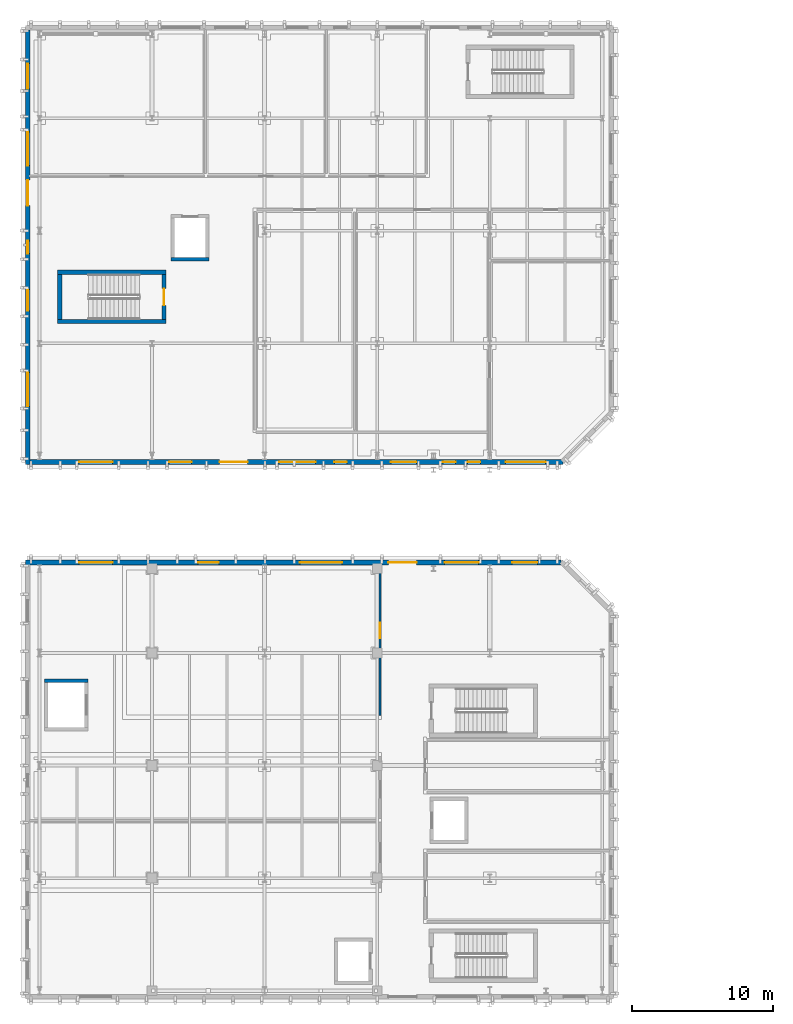
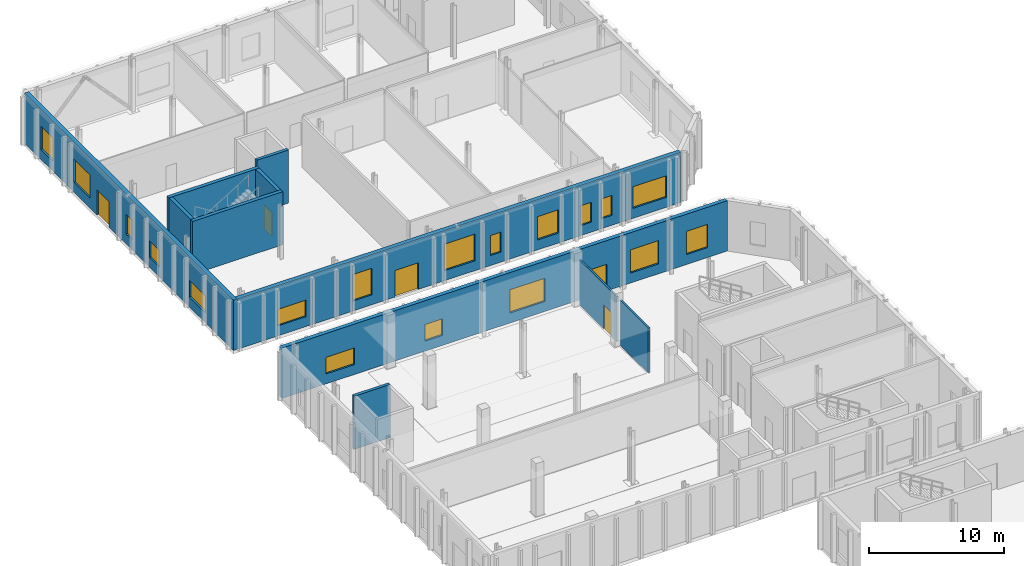
# One storey, part 29 of 60: 18 windows, 11 walls, 5 doors, 23 openings.
"""IFC4 building model written with IfcOpenShell, lengths in metres."""

import ifcopenshell
import ifcopenshell.guid

model = None  # the IFC model being written
_history = None  # IfcOwnerHistory: only IFC2X3 demands one
_inside = {}  # id of a spatial element -> (the spatial element, [elements in it])
_under = {}  # id of a project, library or spatial element -> (it, [spatial elements below it])
_declared = {}  # id of a project -> (the project, [libraries it declares])
_typed = {}  # id of a type object -> (the type object, [elements of that type])
_made_of = {}  # id of a material, layer set ... -> (it, [elements and type objects made of it])


def new_model(schema):
    """Start an empty IFC model of exactly this schema.

    Asked for "IFC4X3", IfcOpenShell would pick the latest addendum, in which some entities
    have other attributes; the version numbers below select the first issue.
    IFC2X3 requires an IfcOwnerHistory on every rooted entity: one is made here for all.
    """
    global model, _history
    if schema == "IFC4X3":
        model = ifcopenshell.file(schema_version=(4, 3, 0, 0))
    else:
        model = ifcopenshell.file(schema=schema)
    _inside.clear()
    _under.clear()
    _declared.clear()
    _typed.clear()
    _made_of.clear()
    _history = None
    if model.schema == "IFC2X3":
        org = make("IfcOrganization", Name="unknown")
        user = make(
            "IfcPersonAndOrganization",
            ThePerson=make("IfcPerson", FamilyName="unknown"),
            TheOrganization=org,
        )
        app = make(
            "IfcApplication",
            ApplicationDeveloper=org,
            Version="unknown",
            ApplicationFullName="unknown",
            ApplicationIdentifier="unknown",
        )
        _history = make(
            "IfcOwnerHistory",
            OwningUser=user,
            OwningApplication=app,
            ChangeAction="ADDED",
            CreationDate=0,
        )
    return model


def make(cls, **values):
    """One entity of the class cls with the attributes given. An attribute that is None is left unset."""
    return model.create_entity(
        cls, **{name: value for name, value in values.items() if value is not None}
    )


def rooted(cls, **values):
    """An entity with a GlobalId (a new one), such as an element, a storey or a relation."""
    return make(cls, GlobalId=ifcopenshell.guid.new(), OwnerHistory=_history, **values)


def si_unit(unit_type, name, prefix=None):
    """IfcSIUnit, for example si_unit("LENGTHUNIT", "METRE", prefix="MILLI")."""
    return make("IfcSIUnit", UnitType=unit_type, Prefix=prefix, Name=name)


def assignment(units):
    """IfcUnitAssignment: the units of a project."""
    return None if units is None else make("IfcUnitAssignment", Units=units)


def point(xyz):
    """IfcCartesianPoint."""
    return None if xyz is None else make("IfcCartesianPoint", Coordinates=xyz)


def direction(xyz):
    """IfcDirection."""
    return None if xyz is None else make("IfcDirection", DirectionRatios=xyz)


def frame(location, z_axis=None, x_axis=None):
    """IfcAxis2Placement3D, a coordinate frame: its origin and axes. An axis left out is left unset."""
    return make(
        "IfcAxis2Placement3D",
        Location=point(location),
        Axis=direction(z_axis),
        RefDirection=direction(x_axis),
    )


def frame_2d(location, x_axis=None):
    """IfcAxis2Placement2D, a coordinate frame in the plane: its origin and x axis."""
    return make(
        "IfcAxis2Placement2D", Location=point(location), RefDirection=direction(x_axis)
    )


def origin():
    """The frame at (0, 0, 0) with its axes left unset."""
    return frame((0.0, 0.0, 0.0))


def place(relative_to, where):
    """IfcLocalPlacement: puts the frame where relative to a parent placement (None: the world)."""
    return make(
        "IfcLocalPlacement", PlacementRelTo=relative_to, RelativePlacement=where
    )


def context(
    kind, dimensions, precision=None, world=None, true_north=None, identifier=None
):
    """IfcGeometricRepresentationContext, for example the 3D "Model" context."""
    return make(
        "IfcGeometricRepresentationContext",
        ContextIdentifier=identifier,
        ContextType=kind,
        CoordinateSpaceDimension=dimensions,
        Precision=precision,
        WorldCoordinateSystem=world,
        TrueNorth=true_north,
    )


def subcontext(parent, identifier, kind, view, scale=None):
    """IfcGeometricRepresentationSubContext, for example "Body" below "Model"."""
    return make(
        "IfcGeometricRepresentationSubContext",
        ContextIdentifier=identifier,
        ContextType=kind,
        ParentContext=parent,
        TargetScale=scale,
        TargetView=view,
    )


def project(units=None, contexts=None):
    """IfcProject with its units and contexts."""
    return rooted(
        "IfcProject",
        Name="project",
        RepresentationContexts=contexts,
        UnitsInContext=assignment(units),
    )


def spatial(cls, under=None, at=None, **own):
    """A site, building, storey or space (cls), placed at a placement, below another one or the project."""
    s = rooted(cls, ObjectPlacement=at, **own)
    if under is not None:
        _under.setdefault(under.id(), (under, []))[1].append(s)
    return s


def profile(cls, at=None, kind="AREA", **sizes):
    """A parametric profile (cls). Its sizes go by their IFC names, for example OverallWidth=200.0."""
    return make(cls, ProfileType=kind, Position=at, **sizes)


def rectangle(**sizes):
    """IfcRectangleProfileDef."""
    return profile("IfcRectangleProfileDef", **sizes)


def extrude(swept, where, along, depth):
    """IfcExtrudedAreaSolid: the profile swept, set in the frame where, extruded along a direction by depth."""
    return make(
        "IfcExtrudedAreaSolid",
        SweptArea=swept,
        Position=where,
        ExtrudedDirection=direction(along),
        Depth=depth,
    )


def shape(context_of_items, identifier, shape_type, items):
    """IfcShapeRepresentation: the items that make up one representation, for example the "Body"."""
    return make(
        "IfcShapeRepresentation",
        ContextOfItems=context_of_items,
        RepresentationIdentifier=identifier,
        RepresentationType=shape_type,
        Items=items,
    )


def material(Name=None, Category=None):
    """IfcMaterial."""
    return make("IfcMaterial", Name=Name, Category=Category)


def layer(
    of_material, thickness, ventilated=None, Name=None, Category=None, Priority=None
):
    """IfcMaterialLayer: one layer of a wall or slab, of a material (None: an air gap)."""
    return make(
        "IfcMaterialLayer",
        Material=of_material,
        LayerThickness=thickness,
        IsVentilated=ventilated,
        Name=Name,
        Category=Category,
        Priority=Priority,
    )


def layer_set(layers, Name=None):
    """IfcMaterialLayerSet."""
    return make("IfcMaterialLayerSet", MaterialLayers=layers, LayerSetName=Name)


def made_of(thing, what):
    """Note that an element or type object is made of a material, layer set ...; save() writes the relation."""
    if what is not None:
        _made_of.setdefault(what.id(), (what, []))[1].append(thing)
    return thing


def type_object(cls, material=None, **own):
    """A type object (cls), such as IfcWallType, which elements share."""
    return made_of(rooted(cls, **own), material)


def element(
    cls,
    number,
    at=None,
    inside=None,
    cuts=None,
    type_object=None,
    material=None,
    context=None,
    identifier="Body",
    shape_type=None,
    held_by="IfcProductDefinitionShape",
    body=None,
    shapes=None,
    **own,
):
    """One element of the class cls, such as IfcWall. Its Tag is "e" and its number.

    at: its placement. inside: the storey or other place that contains it. cuts: it is an
    opening in that element (IfcRelVoidsElement). A single representation is given by context,
    identifier, shape_type and body (its items); several are given by shapes. held_by: the class
    of the entity that holds the representations. save() writes the other relations.
    """
    e = rooted(cls, Tag="e%d" % number, ObjectPlacement=at, **own)
    if body is not None:
        shapes = [shape(context, identifier, shape_type, body)]
    if shapes is not None:
        e.Representation = make(held_by, Representations=shapes)
    if inside is not None:
        _inside.setdefault(inside.id(), (inside, []))[1].append(e)
    if cuts is not None:
        rooted(
            "IfcRelVoidsElement", RelatingBuildingElement=cuts, RelatedOpeningElement=e
        )
    if type_object is not None:
        _typed.setdefault(type_object.id(), (type_object, []))[1].append(e)
    return made_of(e, material)


def fill(opening, filler):
    """IfcRelFillsElement: the door or window that sits in an opening."""
    return rooted(
        "IfcRelFillsElement",
        RelatingOpeningElement=opening,
        RelatedBuildingElement=filler,
    )


def aggregate(whole, parts):
    """IfcRelAggregates: a whole, such as a stair, and the parts it consists of."""
    return rooted("IfcRelAggregates", RelatingObject=whole, RelatedObjects=parts)


def save(model, path):
    """Write the relations noted so far, then the file.

    IfcRelAggregates (storeys below a building ...), IfcRelContainedInSpatialStructure (elements
    in a storey), IfcRelDefinesByType, IfcRelAssociatesMaterial and IfcRelDeclares: one each for
    every whole, place, type object, material and project.
    """
    for whole, parts in _under.values():
        aggregate(whole, parts)
    for where, things in _inside.values():
        rooted(
            "IfcRelContainedInSpatialStructure",
            RelatedElements=things,
            RelatingStructure=where,
        )
    for kind, things in _typed.values():
        rooted("IfcRelDefinesByType", RelatedObjects=things, RelatingType=kind)
    for what, things in _made_of.values():
        rooted("IfcRelAssociatesMaterial", RelatedObjects=things, RelatingMaterial=what)
    for by, libraries in _declared.values():
        rooted("IfcRelDeclares", RelatingContext=by, RelatedDefinitions=libraries)
    model.write(path)


model = new_model("IFC4")

# Units and contexts
model_context = context("Model", 3, precision=1e-05, world=origin(), true_north=direction((0.0, 1.0)))
body_context = subcontext(model_context, "Body", "Model", "MODEL_VIEW")
ifc_project = project(units=[si_unit("LENGTHUNIT", "METRE"), si_unit("AREAUNIT", "SQUARE_METRE"), si_unit("VOLUMEUNIT", "CUBIC_METRE"), si_unit("PLANEANGLEUNIT", "RADIAN"), si_unit("MASSUNIT", "GRAM", prefix="KILO")], contexts=[model_context])

# Site, building, storey
site_placement = place(None, origin())
site = spatial("IfcSite", under=ifc_project, at=site_placement, CompositionType="ELEMENT")
building_placement = place(site_placement, origin())
building = spatial("IfcBuilding", under=site, at=building_placement, Name="Cymarion Research Institute", CompositionType="ELEMENT")
storey_placement = place(building_placement, origin())
storey = spatial("IfcBuildingStorey", under=building, at=storey_placement, Name="L00", CompositionType="ELEMENT", Elevation=0.0)

# Wall, openings, door, windows
ifc_material_1 = material(Name="Precast concrete C40/50", Category="concrete")
ifc_layer_1 = layer(ifc_material_1, 0.340087890625)
ifc_layer_set_1 = layer_set([ifc_layer_1], Name="Precast concrete C40/50")
wall_type_1 = type_object("IfcWallType", Name="EXTERIOR WALL EW-PC340 340MM", PredefinedType="SOLIDWALL", material=ifc_layer_set_1)
wall_1_placement = place(storey_placement, frame((43.67724609375, 77.929931640625, 0.0), z_axis=(0.0, 0.0, 1.0), x_axis=(-1.0, 0.0, 0.0)))
wall_1 = element("IfcWall", 1, at=wall_1_placement, inside=storey, type_object=wall_type_1, Name="L00 V4 exterior wall EW-PC340 #68", PredefinedType="SOLIDWALL", context=body_context, shape_type="SweptSolid", body=[
    extrude(rectangle(XDim=38.0771484375, YDim=0.340087890625, at=frame_2d((19.03857421875, 0.0))), origin(), (0.0, 0.0, 1.0), 4.550048828125),
])
opening_1_placement = place(wall_1_placement, frame((10.277099609375, 0.0, 0.0)))
opening_1 = element("IfcOpeningElement", 2, at=opening_1_placement, cuts=wall_1, Name="Opening D-EX14", PredefinedType="OPENING", context=body_context, shape_type="SweptSolid", body=[
    extrude(rectangle(XDim=2.0, YDim=2.39990234375, at=frame_2d((1.0, 1.199951171875))), frame((0.0, 0.179931640625, 0.0), z_axis=(0.0, -1.0, 0.0), x_axis=(1.0, 0.0, 0.0)), (0.0, 0.0, 1.0), 0.360107421875),
])
opening_2_placement = place(wall_1_placement, frame((1.68896484375, 0.0, 0.89990234375)))
opening_2 = element("IfcOpeningElement", 3, at=opening_2_placement, cuts=wall_1, Name="Opening W10", PredefinedType="OPENING", context=body_context, shape_type="SweptSolid", body=[
    extrude(rectangle(XDim=1.800048828125, YDim=2.10009765625, at=frame_2d((0.89990234375, 1.050048828125))), frame((0.0, 0.179931640625, 0.0), z_axis=(0.0, -1.0, 0.0), x_axis=(1.0, 0.0, 0.0)), (0.0, 0.0, 1.0), 0.360107421875),
])
opening_3_placement = place(wall_1_placement, frame((5.876953125, 0.0, 0.89990234375)))
opening_3 = element("IfcOpeningElement", 4, at=opening_3_placement, cuts=wall_1, Name="Opening W12", PredefinedType="OPENING", context=body_context, shape_type="SweptSolid", body=[
    extrude(rectangle(XDim=2.39990234375, YDim=2.10009765625, at=frame_2d((1.199951171875, 1.050048828125))), frame((0.0, 0.179931640625, 0.0), z_axis=(0.0, -1.0, 0.0), x_axis=(1.0, 0.0, 0.0)), (0.0, 0.0, 1.0), 0.360107421875),
])
opening_4_placement = place(wall_1_placement, frame((15.576904296875, 0.0, 0.89990234375)))
opening_4 = element("IfcOpeningElement", 5, at=opening_4_placement, cuts=wall_1, Name="Opening W14", PredefinedType="OPENING", context=body_context, shape_type="SweptSolid", body=[
    extrude(rectangle(XDim=3.0, YDim=2.10009765625, at=frame_2d((1.5, 1.050048828125))), frame((0.0, 0.179931640625, 0.0), z_axis=(0.0, -1.0, 0.0), x_axis=(1.0, 0.0, 0.0)), (0.0, 0.0, 1.0), 0.360107421875),
])
opening_5_placement = place(wall_1_placement, frame((24.326904296875, 0.0, 0.89990234375)))
opening_5 = element("IfcOpeningElement", 6, at=opening_5_placement, cuts=wall_1, Name="Opening W16", PredefinedType="OPENING", context=body_context, shape_type="SweptSolid", body=[
    extrude(rectangle(XDim=1.5, YDim=1.5, at=frame_2d((0.75, 0.75))), frame((0.0, 0.179931640625, 0.0), z_axis=(0.0, -1.0, 0.0), x_axis=(1.0, 0.0, 0.0)), (0.0, 0.0, 1.0), 0.360107421875),
])
opening_6_placement = place(wall_1_placement, frame((31.876953125, 0.0, 0.89990234375)))
opening_6 = element("IfcOpeningElement", 7, at=opening_6_placement, cuts=wall_1, Name="Opening W18", PredefinedType="OPENING", context=body_context, shape_type="SweptSolid", body=[
    extrude(rectangle(XDim=2.39990234375, YDim=1.5, at=frame_2d((1.199951171875, 0.75))), frame((0.0, 0.179931640625, 0.0), z_axis=(0.0, -1.0, 0.0), x_axis=(1.0, 0.0, 0.0)), (0.0, 0.0, 1.0), 0.360107421875),
])
ifc_material_2 = material(Name="Thermally broken anodised aluminium glazed door", Category="aluminium")
door_type_1 = type_object("IfcDoorType", Name="GLAZED ALUMINIUM DOUBLE EXIT DOOR DT-EX200 2000X2400", OperationType="DOUBLE_DOOR_SINGLE_SWING", PredefinedType="DOOR", material=ifc_material_2)
door_1_placement = place(opening_1_placement, frame((2.0, 0.0, 0.0), z_axis=(0.0, 0.0, 1.0), x_axis=(-1.0, 0.0, 0.0)))
door_1 = element("IfcDoor", 8, at=door_1_placement, inside=storey, type_object=door_type_1, Name="L00 V4 Final Exit Door D-EX14", OperationType="DOUBLE_DOOR_SINGLE_SWING", OverallHeight=2.39990234375, OverallWidth=2.0, PredefinedType="DOOR", context=body_context, shape_type="SweptSolid", body=[
    extrude(rectangle(XDim=2.0, YDim=2.39990234375, at=frame_2d((1.0, 1.199951171875))), frame((0.0, 0.02490234375, 0.0), z_axis=(0.0, -1.0, 0.0), x_axis=(1.0, 0.0, 0.0)), (0.0, 0.0, 1.0), 0.050048828125),
])
fill(opening_1, door_1)
ifc_material_3 = material(Name="Thermally broken aluminium window with Low-E glazing", Category="aluminium")
window_type_1 = type_object("IfcWindowType", Name="THERMALLY BROKEN ALUMINIUM WINDOW W10 1800X2100", PartitioningType="DOUBLE_PANEL_VERTICAL", PredefinedType="WINDOW", material=ifc_material_3)
window_1_placement = place(opening_2_placement, origin())
window_1 = element("IfcWindow", 9, at=window_1_placement, inside=storey, type_object=window_type_1, Name="L00 V4 facade window W10 #108", OverallHeight=2.10009765625, OverallWidth=1.800048828125, PartitioningType="SINGLE_PANEL", PredefinedType="WINDOW", context=body_context, shape_type="SweptSolid", body=[
    extrude(rectangle(XDim=1.800048828125, YDim=2.10009765625, at=frame_2d((0.89990234375, 1.050048828125))), frame((0.0, 0.030029296875, 0.0), z_axis=(0.0, -1.0, 0.0), x_axis=(1.0, 0.0, 0.0)), (0.0, 0.0, 1.0), 0.06005859375),
])
fill(opening_2, window_1)
window_type_2 = type_object("IfcWindowType", Name="THERMALLY BROKEN ALUMINIUM WINDOW W12 2400X2100", PartitioningType="TRIPLE_PANEL_VERTICAL", PredefinedType="WINDOW", material=ifc_material_3)
window_2_placement = place(opening_3_placement, origin())
window_2 = element("IfcWindow", 10, at=window_2_placement, inside=storey, type_object=window_type_2, Name="L00 V4 facade window W12 #109", OverallHeight=2.10009765625, OverallWidth=2.39990234375, PartitioningType="SINGLE_PANEL", PredefinedType="WINDOW", context=body_context, shape_type="SweptSolid", body=[
    extrude(rectangle(XDim=2.39990234375, YDim=2.10009765625, at=frame_2d((1.199951171875, 1.050048828125))), frame((0.0, 0.030029296875, 0.0), z_axis=(0.0, -1.0, 0.0), x_axis=(1.0, 0.0, 0.0)), (0.0, 0.0, 1.0), 0.06005859375),
])
fill(opening_3, window_2)
window_type_3 = type_object("IfcWindowType", Name="THERMALLY BROKEN ALUMINIUM WINDOW W14 3000X2100", PartitioningType="TRIPLE_PANEL_VERTICAL", PredefinedType="WINDOW", material=ifc_material_3)
window_3_placement = place(opening_4_placement, origin())
window_3 = element("IfcWindow", 11, at=window_3_placement, inside=storey, type_object=window_type_3, Name="L00 V4 facade window W14 #110", OverallHeight=2.10009765625, OverallWidth=3.0, PartitioningType="SINGLE_PANEL", PredefinedType="WINDOW", context=body_context, shape_type="SweptSolid", body=[
    extrude(rectangle(XDim=3.0, YDim=2.10009765625, at=frame_2d((1.5, 1.050048828125))), frame((0.0, 0.030029296875, 0.0), z_axis=(0.0, -1.0, 0.0), x_axis=(1.0, 0.0, 0.0)), (0.0, 0.0, 1.0), 0.06005859375),
])
fill(opening_4, window_3)
window_type_4 = type_object("IfcWindowType", Name="THERMALLY BROKEN ALUMINIUM WINDOW W16 1500X1500", PartitioningType="DOUBLE_PANEL_HORIZONTAL", PredefinedType="WINDOW", material=ifc_material_3)
window_4_placement = place(opening_5_placement, origin())
window_4 = element("IfcWindow", 12, at=window_4_placement, inside=storey, type_object=window_type_4, Name="L00 V4 facade window W16 #111", OverallHeight=1.5, OverallWidth=1.5, PartitioningType="SINGLE_PANEL", PredefinedType="WINDOW", context=body_context, shape_type="SweptSolid", body=[
    extrude(rectangle(XDim=1.5, YDim=1.5, at=frame_2d((0.75, 0.75))), frame((0.0, 0.030029296875, 0.0), z_axis=(0.0, -1.0, 0.0), x_axis=(1.0, 0.0, 0.0)), (0.0, 0.0, 1.0), 0.06005859375),
])
fill(opening_5, window_4)
window_type_5 = type_object("IfcWindowType", Name="THERMALLY BROKEN ALUMINIUM WINDOW W18 2400X1500", PartitioningType="TRIPLE_PANEL_HORIZONTAL", PredefinedType="WINDOW", material=ifc_material_3)
window_5_placement = place(opening_6_placement, origin())
window_5 = element("IfcWindow", 13, at=window_5_placement, inside=storey, type_object=window_type_5, Name="L00 V4 facade window W18 #112", OverallHeight=1.5, OverallWidth=2.39990234375, PartitioningType="SINGLE_PANEL", PredefinedType="WINDOW", context=body_context, shape_type="SweptSolid", body=[
    extrude(rectangle(XDim=2.39990234375, YDim=1.5, at=frame_2d((1.199951171875, 0.75))), frame((0.0, 0.030029296875, 0.0), z_axis=(0.0, -1.0, 0.0), x_axis=(1.0, 0.0, 0.0)), (0.0, 0.0, 1.0), 0.06005859375),
])
fill(opening_6, window_5)

wall_2_placement = place(storey_placement, frame((5.922119140625, 85.070068359375, 0.0), z_axis=(0.0, 0.0, 1.0), x_axis=(1.0, 0.0, 0.0)))
wall_2 = element("IfcWall", 14, at=wall_2_placement, inside=storey, type_object=wall_type_1, Name="L00 V5 exterior wall EW-PC340 #70", PredefinedType="SOLIDWALL", context=body_context, shape_type="SweptSolid", body=[
    extrude(rectangle(XDim=37.8779296875, YDim=0.340087890625, at=frame_2d((18.93896484375, 0.0))), origin(), (0.0, 0.0, 1.0), 4.550048828125),
])
opening_7_placement = place(wall_2_placement, frame((13.47802734375, 0.0, 0.0)))
opening_7 = element("IfcOpeningElement", 15, at=opening_7_placement, cuts=wall_2, Name="Opening D-EX16", PredefinedType="OPENING", context=body_context, shape_type="SweptSolid", body=[
    extrude(rectangle(XDim=2.0, YDim=2.39990234375, at=frame_2d((1.0, 1.199951171875))), frame((0.0, 0.179931640625, 0.0), z_axis=(0.0, -1.0, 0.0), x_axis=(1.0, 0.0, 0.0)), (0.0, 0.0, 1.0), 0.360107421875),
])
opening_8_placement = place(wall_2_placement, frame((3.47802734375, 0.0, 0.89990234375)))
opening_8 = element("IfcOpeningElement", 16, at=opening_8_placement, cuts=wall_2, Name="Opening W18", PredefinedType="OPENING", context=body_context, shape_type="SweptSolid", body=[
    extrude(rectangle(XDim=2.39990234375, YDim=1.5, at=frame_2d((1.199951171875, 0.75))), frame((0.0, 0.179931640625, 0.0), z_axis=(0.0, -1.0, 0.0), x_axis=(1.0, 0.0, 0.0)), (0.0, 0.0, 1.0), 0.360107421875),
])
opening_9_placement = place(wall_2_placement, frame((9.89794921875, 0.0, 0.89990234375)))
opening_9 = element("IfcOpeningElement", 17, at=opening_9_placement, cuts=wall_2, Name="Opening W20", PredefinedType="OPENING", context=body_context, shape_type="SweptSolid", body=[
    extrude(rectangle(XDim=1.60009765625, YDim=2.39990234375, at=frame_2d((0.800048828125, 1.199951171875))), frame((0.0, 0.179931640625, 0.0), z_axis=(0.0, -1.0, 0.0), x_axis=(1.0, 0.0, 0.0)), (0.0, 0.0, 1.0), 0.360107421875),
])
opening_10_placement = place(wall_2_placement, frame((17.697998046875, 0.0, 0.89990234375)))
opening_10 = element("IfcOpeningElement", 18, at=opening_10_placement, cuts=wall_2, Name="Opening W22", PredefinedType="OPENING", context=body_context, shape_type="SweptSolid", body=[
    extrude(rectangle(XDim=2.60009765625, YDim=2.39990234375, at=frame_2d((1.300048828125, 1.199951171875))), frame((0.0, 0.179931640625, 0.0), z_axis=(0.0, -1.0, 0.0), x_axis=(1.0, 0.0, 0.0)), (0.0, 0.0, 1.0), 0.360107421875),
])
opening_11_placement = place(wall_2_placement, frame((21.6279296875, 0.0, 0.89990234375)))
opening_11 = element("IfcOpeningElement", 19, at=opening_11_placement, cuts=wall_2, Name="Opening W24", PredefinedType="OPENING", context=body_context, shape_type="SweptSolid", body=[
    extrude(rectangle(XDim=0.89990234375, YDim=1.800048828125, at=frame_2d((0.449951171875, 0.89990234375))), frame((0.0, 0.179931640625, 0.0), z_axis=(0.0, -1.0, 0.0), x_axis=(1.0, 0.0, 0.0)), (0.0, 0.0, 1.0), 0.360107421875),
])
opening_12_placement = place(wall_2_placement, frame((25.657958984375, 0.0, 0.89990234375)))
opening_12 = element("IfcOpeningElement", 20, at=opening_12_placement, cuts=wall_2, Name="Opening W10", PredefinedType="OPENING", context=body_context, shape_type="SweptSolid", body=[
    extrude(rectangle(XDim=1.800048828125, YDim=2.10009765625, at=frame_2d((0.89990234375, 1.050048828125))), frame((0.0, 0.179931640625, 0.0), z_axis=(0.0, -1.0, 0.0), x_axis=(1.0, 0.0, 0.0)), (0.0, 0.0, 1.0), 0.360107421875),
])
opening_13_placement = place(wall_2_placement, frame((29.347900390625, 0.0, 0.89990234375)))
opening_13 = element("IfcOpeningElement", 21, at=opening_13_placement, cuts=wall_2, Name="Opening W24", PredefinedType="OPENING", context=body_context, shape_type="SweptSolid", body=[
    extrude(rectangle(XDim=0.89990234375, YDim=1.800048828125, at=frame_2d((0.449951171875, 0.89990234375))), frame((0.0, 0.179931640625, 0.0), z_axis=(0.0, -1.0, 0.0), x_axis=(1.0, 0.0, 0.0)), (0.0, 0.0, 1.0), 0.360107421875),
])
opening_14_placement = place(wall_2_placement, frame((31.10791015625, 0.0, 0.89990234375)))
opening_14 = element("IfcOpeningElement", 22, at=opening_14_placement, cuts=wall_2, Name="Opening W24", PredefinedType="OPENING", context=body_context, shape_type="SweptSolid", body=[
    extrude(rectangle(XDim=0.89990234375, YDim=1.800048828125, at=frame_2d((0.449951171875, 0.89990234375))), frame((0.0, 0.179931640625, 0.0), z_axis=(0.0, -1.0, 0.0), x_axis=(1.0, 0.0, 0.0)), (0.0, 0.0, 1.0), 0.360107421875),
])
opening_15_placement = place(wall_2_placement, frame((33.802978515625, 0.0, 0.89990234375)))
opening_15 = element("IfcOpeningElement", 23, at=opening_15_placement, cuts=wall_2, Name="Opening W32", PredefinedType="OPENING", context=body_context, shape_type="SweptSolid", body=[
    extrude(rectangle(XDim=2.85009765625, YDim=1.949951171875, at=frame_2d((1.425048828125, 0.97509765625))), frame((0.0, 0.179931640625, 0.0), z_axis=(0.0, -1.0, 0.0), x_axis=(1.0, 0.0, 0.0)), (0.0, 0.0, 1.0), 0.360107421875),
])
door_2_placement = place(opening_7_placement, frame((2.0, 0.0, 0.0), z_axis=(0.0, 0.0, 1.0), x_axis=(-1.0, 0.0, 0.0)))
door_2 = element("IfcDoor", 24, at=door_2_placement, inside=storey, type_object=door_type_1, Name="L00 V5 Final Exit Door D-EX16", OperationType="DOUBLE_DOOR_SINGLE_SWING", OverallHeight=2.39990234375, OverallWidth=2.0, PredefinedType="DOOR", context=body_context, shape_type="SweptSolid", body=[
    extrude(rectangle(XDim=2.0, YDim=2.39990234375, at=frame_2d((1.0, 1.199951171875))), frame((0.0, 0.02490234375, 0.0), z_axis=(0.0, -1.0, 0.0), x_axis=(1.0, 0.0, 0.0)), (0.0, 0.0, 1.0), 0.050048828125),
])
fill(opening_7, door_2)
window_6_placement = place(opening_12_placement, origin())
window_6 = element("IfcWindow", 25, at=window_6_placement, inside=storey, type_object=window_type_1, Name="L00 V5 facade window W10 #123", OverallHeight=2.10009765625, OverallWidth=1.800048828125, PartitioningType="SINGLE_PANEL", PredefinedType="WINDOW", context=body_context, shape_type="SweptSolid", body=[
    extrude(rectangle(XDim=1.800048828125, YDim=2.10009765625, at=frame_2d((0.89990234375, 1.050048828125))), frame((0.0, 0.030029296875, 0.0), z_axis=(0.0, -1.0, 0.0), x_axis=(1.0, 0.0, 0.0)), (0.0, 0.0, 1.0), 0.06005859375),
])
fill(opening_12, window_6)
window_7_placement = place(opening_8_placement, origin())
window_7 = element("IfcWindow", 26, at=window_7_placement, inside=storey, type_object=window_type_5, Name="L00 V5 facade window W18 #119", OverallHeight=1.5, OverallWidth=2.39990234375, PartitioningType="SINGLE_PANEL", PredefinedType="WINDOW", context=body_context, shape_type="SweptSolid", body=[
    extrude(rectangle(XDim=2.39990234375, YDim=1.5, at=frame_2d((1.199951171875, 0.75))), frame((0.0, 0.030029296875, 0.0), z_axis=(0.0, -1.0, 0.0), x_axis=(1.0, 0.0, 0.0)), (0.0, 0.0, 1.0), 0.06005859375),
])
fill(opening_8, window_7)
window_type_6 = type_object("IfcWindowType", Name="THERMALLY BROKEN ALUMINIUM WINDOW W20 1600X2400", PartitioningType="DOUBLE_PANEL_VERTICAL", PredefinedType="WINDOW", material=ifc_material_3)
window_8_placement = place(opening_9_placement, origin())
window_8 = element("IfcWindow", 27, at=window_8_placement, inside=storey, type_object=window_type_6, Name="L00 V5 facade window W20 #120", OverallHeight=2.39990234375, OverallWidth=1.60009765625, PartitioningType="SINGLE_PANEL", PredefinedType="WINDOW", context=body_context, shape_type="SweptSolid", body=[
    extrude(rectangle(XDim=1.60009765625, YDim=2.39990234375, at=frame_2d((0.800048828125, 1.199951171875))), frame((0.0, 0.030029296875, 0.0), z_axis=(0.0, -1.0, 0.0), x_axis=(1.0, 0.0, 0.0)), (0.0, 0.0, 1.0), 0.06005859375),
])
fill(opening_9, window_8)
window_type_7 = type_object("IfcWindowType", Name="THERMALLY BROKEN ALUMINIUM WINDOW W22 2600X2400", PartitioningType="TRIPLE_PANEL_VERTICAL", PredefinedType="WINDOW", material=ifc_material_3)
window_9_placement = place(opening_10_placement, origin())
window_9 = element("IfcWindow", 28, at=window_9_placement, inside=storey, type_object=window_type_7, Name="L00 V5 facade window W22 #121", OverallHeight=2.39990234375, OverallWidth=2.60009765625, PartitioningType="SINGLE_PANEL", PredefinedType="WINDOW", context=body_context, shape_type="SweptSolid", body=[
    extrude(rectangle(XDim=2.60009765625, YDim=2.39990234375, at=frame_2d((1.300048828125, 1.199951171875))), frame((0.0, 0.030029296875, 0.0), z_axis=(0.0, -1.0, 0.0), x_axis=(1.0, 0.0, 0.0)), (0.0, 0.0, 1.0), 0.06005859375),
])
fill(opening_10, window_9)
window_type_8 = type_object("IfcWindowType", Name="THERMALLY BROKEN ALUMINIUM WINDOW W24 900X1800", PartitioningType="SINGLE_PANEL", PredefinedType="WINDOW", material=ifc_material_3)
window_10_placement = place(opening_11_placement, origin())
window_10 = element("IfcWindow", 29, at=window_10_placement, inside=storey, type_object=window_type_8, Name="L00 V5 facade window W24 #122", OverallHeight=1.800048828125, OverallWidth=0.89990234375, PartitioningType="SINGLE_PANEL", PredefinedType="WINDOW", context=body_context, shape_type="SweptSolid", body=[
    extrude(rectangle(XDim=0.89990234375, YDim=1.800048828125, at=frame_2d((0.449951171875, 0.89990234375))), frame((0.0, 0.030029296875, 0.0), z_axis=(0.0, -1.0, 0.0), x_axis=(1.0, 0.0, 0.0)), (0.0, 0.0, 1.0), 0.06005859375),
])
fill(opening_11, window_10)
window_11_placement = place(opening_13_placement, origin())
window_11 = element("IfcWindow", 30, at=window_11_placement, inside=storey, type_object=window_type_8, Name="L00 V5 facade window W24 #124", OverallHeight=1.800048828125, OverallWidth=0.89990234375, PartitioningType="SINGLE_PANEL", PredefinedType="WINDOW", context=body_context, shape_type="SweptSolid", body=[
    extrude(rectangle(XDim=0.89990234375, YDim=1.800048828125, at=frame_2d((0.449951171875, 0.89990234375))), frame((0.0, 0.030029296875, 0.0), z_axis=(0.0, -1.0, 0.0), x_axis=(1.0, 0.0, 0.0)), (0.0, 0.0, 1.0), 0.06005859375),
])
fill(opening_13, window_11)
window_12_placement = place(opening_14_placement, origin())
window_12 = element("IfcWindow", 31, at=window_12_placement, inside=storey, type_object=window_type_8, Name="L00 V5 facade window W24 #125", OverallHeight=1.800048828125, OverallWidth=0.89990234375, PartitioningType="SINGLE_PANEL", PredefinedType="WINDOW", context=body_context, shape_type="SweptSolid", body=[
    extrude(rectangle(XDim=0.89990234375, YDim=1.800048828125, at=frame_2d((0.449951171875, 0.89990234375))), frame((0.0, 0.030029296875, 0.0), z_axis=(0.0, -1.0, 0.0), x_axis=(1.0, 0.0, 0.0)), (0.0, 0.0, 1.0), 0.06005859375),
])
fill(opening_14, window_12)
window_type_9 = type_object("IfcWindowType", Name="THERMALLY BROKEN ALUMINIUM WINDOW W32 2850X1950", PartitioningType="TRIPLE_PANEL_VERTICAL", PredefinedType="WINDOW", material=ifc_material_3)
window_13_placement = place(opening_15_placement, origin())
window_13 = element("IfcWindow", 32, at=window_13_placement, inside=storey, type_object=window_type_9, Name="L00 V5 facade window W32 #126", OverallHeight=1.949951171875, OverallWidth=2.85009765625, PartitioningType="SINGLE_PANEL", PredefinedType="WINDOW", context=body_context, shape_type="SweptSolid", body=[
    extrude(rectangle(XDim=2.85009765625, YDim=1.949951171875, at=frame_2d((1.425048828125, 0.97509765625))), frame((0.0, 0.030029296875, 0.0), z_axis=(0.0, -1.0, 0.0), x_axis=(1.0, 0.0, 0.0)), (0.0, 0.0, 1.0), 0.06005859375),
])
fill(opening_15, window_13)

wall_3_placement = place(storey_placement, frame((5.77001953125, 115.778076171875, 0.0), z_axis=(0.0, 0.0, 1.0), x_axis=(0.0, -1.0, 0.0)))
wall_3 = element("IfcWall", 33, at=wall_3_placement, inside=storey, type_object=wall_type_1, Name="L00 V5 exterior wall EW-PC340 #74", PredefinedType="SOLIDWALL", context=body_context, shape_type="SweptSolid", body=[
    extrude(rectangle(XDim=30.878173828125, YDim=0.340087890625, at=frame_2d((15.43896484375, 0.0))), origin(), (0.0, 0.0, 1.0), 4.550048828125),
])
opening_16_placement = place(wall_3_placement, frame((10.677978515625, 0.0, 0.0)))
opening_16 = element("IfcOpeningElement", 34, at=opening_16_placement, cuts=wall_3, Name="Opening D-EX15", PredefinedType="OPENING", context=body_context, shape_type="SweptSolid", body=[
    extrude(rectangle(XDim=1.800048828125, YDim=2.300048828125, at=frame_2d((0.89990234375, 1.14990234375))), frame((0.0, 0.179931640625, 0.0), z_axis=(0.0, -1.0, 0.0), x_axis=(1.0, 0.0, 0.0)), (0.0, 0.0, 1.0), 0.360107421875),
])
opening_17_placement = place(wall_3_placement, frame((2.387939453125, 0.0, 0.89990234375)))
opening_17 = element("IfcOpeningElement", 35, at=opening_17_placement, cuts=wall_3, Name="Opening W10", PredefinedType="OPENING", context=body_context, shape_type="SweptSolid", body=[
    extrude(rectangle(XDim=1.800048828125, YDim=2.10009765625, at=frame_2d((0.89990234375, 1.050048828125))), frame((0.0, 0.179931640625, 0.0), z_axis=(0.0, -1.0, 0.0), x_axis=(1.0, 0.0, 0.0)), (0.0, 0.0, 1.0), 0.360107421875),
])
opening_18_placement = place(wall_3_placement, frame((7.242919921875, 0.0, 0.89990234375)))
opening_18 = element("IfcOpeningElement", 36, at=opening_18_placement, cuts=wall_3, Name="Opening W12", PredefinedType="OPENING", context=body_context, shape_type="SweptSolid", body=[
    extrude(rectangle(XDim=2.39990234375, YDim=2.10009765625, at=frame_2d((1.199951171875, 1.050048828125))), frame((0.0, 0.179931640625, 0.0), z_axis=(0.0, -1.0, 0.0), x_axis=(1.0, 0.0, 0.0)), (0.0, 0.0, 1.0), 0.360107421875),
])
opening_19_placement = place(wall_3_placement, frame((14.998046875, 0.0, 0.89990234375)))
opening_19 = element("IfcOpeningElement", 37, at=opening_19_placement, cuts=wall_3, Name="Opening W24", PredefinedType="OPENING", context=body_context, shape_type="SweptSolid", body=[
    extrude(rectangle(XDim=0.89990234375, YDim=1.800048828125, at=frame_2d((0.449951171875, 0.89990234375))), frame((0.0, 0.179931640625, 0.0), z_axis=(0.0, -1.0, 0.0), x_axis=(1.0, 0.0, 0.0)), (0.0, 0.0, 1.0), 0.360107421875),
])
opening_20_placement = place(wall_3_placement, frame((18.4580078125, 0.0, 0.89990234375)))
opening_20 = element("IfcOpeningElement", 38, at=opening_20_placement, cuts=wall_3, Name="Opening W16", PredefinedType="OPENING", context=body_context, shape_type="SweptSolid", body=[
    extrude(rectangle(XDim=1.5, YDim=1.5, at=frame_2d((0.75, 0.75))), frame((0.0, 0.179931640625, 0.0), z_axis=(0.0, -1.0, 0.0), x_axis=(1.0, 0.0, 0.0)), (0.0, 0.0, 1.0), 0.360107421875),
])
opening_21_placement = place(wall_3_placement, frame((24.347900390625, 0.0, 0.89990234375)))
opening_21 = element("IfcOpeningElement", 39, at=opening_21_placement, cuts=wall_3, Name="Opening W18", PredefinedType="OPENING", context=body_context, shape_type="SweptSolid", body=[
    extrude(rectangle(XDim=2.39990234375, YDim=1.5, at=frame_2d((1.199951171875, 0.75))), frame((0.0, 0.179931640625, 0.0), z_axis=(0.0, -1.0, 0.0), x_axis=(1.0, 0.0, 0.0)), (0.0, 0.0, 1.0), 0.360107421875),
])
door_type_2 = type_object("IfcDoorType", Name="GLAZED ALUMINIUM DOUBLE EXIT DOOR DT-EX180 1800X2300", OperationType="DOUBLE_DOOR_SINGLE_SWING", PredefinedType="DOOR", material=ifc_material_2)
door_3_placement = place(opening_16_placement, frame((1.800048828125, 0.0, 0.0), z_axis=(0.0, 0.0, 1.0), x_axis=(-1.0, 0.0, 0.0)))
door_3 = element("IfcDoor", 40, at=door_3_placement, inside=storey, type_object=door_type_2, Name="L00 V5 Final Exit Door D-EX15", OperationType="DOUBLE_DOOR_SINGLE_SWING", OverallHeight=2.300048828125, OverallWidth=1.800048828125, PredefinedType="DOOR", context=body_context, shape_type="SweptSolid", body=[
    extrude(rectangle(XDim=1.800048828125, YDim=2.300048828125, at=frame_2d((0.89990234375, 1.14990234375))), frame((0.0, 0.02490234375, 0.0), z_axis=(0.0, -1.0, 0.0), x_axis=(1.0, 0.0, 0.0)), (0.0, 0.0, 1.0), 0.050048828125),
])
fill(opening_16, door_3)
window_14_placement = place(opening_17_placement, origin())
window_14 = element("IfcWindow", 41, at=window_14_placement, inside=storey, type_object=window_type_1, Name="L00 V5 facade window W10 #141", OverallHeight=2.10009765625, OverallWidth=1.800048828125, PartitioningType="SINGLE_PANEL", PredefinedType="WINDOW", context=body_context, shape_type="SweptSolid", body=[
    extrude(rectangle(XDim=1.800048828125, YDim=2.10009765625, at=frame_2d((0.89990234375, 1.050048828125))), frame((0.0, 0.030029296875, 0.0), z_axis=(0.0, -1.0, 0.0), x_axis=(1.0, 0.0, 0.0)), (0.0, 0.0, 1.0), 0.06005859375),
])
fill(opening_17, window_14)
window_15_placement = place(opening_18_placement, origin())
window_15 = element("IfcWindow", 42, at=window_15_placement, inside=storey, type_object=window_type_2, Name="L00 V5 facade window W12 #142", OverallHeight=2.10009765625, OverallWidth=2.39990234375, PartitioningType="SINGLE_PANEL", PredefinedType="WINDOW", context=body_context, shape_type="SweptSolid", body=[
    extrude(rectangle(XDim=2.39990234375, YDim=2.10009765625, at=frame_2d((1.199951171875, 1.050048828125))), frame((0.0, 0.030029296875, 0.0), z_axis=(0.0, -1.0, 0.0), x_axis=(1.0, 0.0, 0.0)), (0.0, 0.0, 1.0), 0.06005859375),
])
fill(opening_18, window_15)
window_16_placement = place(opening_20_placement, origin())
window_16 = element("IfcWindow", 43, at=window_16_placement, inside=storey, type_object=window_type_4, Name="L00 V5 facade window W16 #144", OverallHeight=1.5, OverallWidth=1.5, PartitioningType="SINGLE_PANEL", PredefinedType="WINDOW", context=body_context, shape_type="SweptSolid", body=[
    extrude(rectangle(XDim=1.5, YDim=1.5, at=frame_2d((0.75, 0.75))), frame((0.0, 0.030029296875, 0.0), z_axis=(0.0, -1.0, 0.0), x_axis=(1.0, 0.0, 0.0)), (0.0, 0.0, 1.0), 0.06005859375),
])
fill(opening_20, window_16)
window_17_placement = place(opening_21_placement, origin())
window_17 = element("IfcWindow", 44, at=window_17_placement, inside=storey, type_object=window_type_5, Name="L00 V5 facade window W18 #145", OverallHeight=1.5, OverallWidth=2.39990234375, PartitioningType="SINGLE_PANEL", PredefinedType="WINDOW", context=body_context, shape_type="SweptSolid", body=[
    extrude(rectangle(XDim=2.39990234375, YDim=1.5, at=frame_2d((1.199951171875, 0.75))), frame((0.0, 0.030029296875, 0.0), z_axis=(0.0, -1.0, 0.0), x_axis=(1.0, 0.0, 0.0)), (0.0, 0.0, 1.0), 0.06005859375),
])
fill(opening_21, window_17)
window_18_placement = place(opening_19_placement, origin())
window_18 = element("IfcWindow", 45, at=window_18_placement, inside=storey, type_object=window_type_8, Name="L00 V5 facade window W24 #143", OverallHeight=1.800048828125, OverallWidth=0.89990234375, PartitioningType="SINGLE_PANEL", PredefinedType="WINDOW", context=body_context, shape_type="SweptSolid", body=[
    extrude(rectangle(XDim=0.89990234375, YDim=1.800048828125, at=frame_2d((0.449951171875, 0.89990234375))), frame((0.0, 0.030029296875, 0.0), z_axis=(0.0, -1.0, 0.0), x_axis=(1.0, 0.0, 0.0)), (0.0, 0.0, 1.0), 0.06005859375),
])
fill(opening_19, window_18)

# Wall
ifc_material_4 = material(Name="ISO cleanroom modular flush panel wall", Category="metal")
ifc_layer_2 = layer(ifc_material_4, 0.159912109375)
ifc_layer_set_2 = layer_set([ifc_layer_2], Name="ISO cleanroom modular flush panel wall")
wall_type_2 = type_object("IfcWallType", Name="INTERIOR PARTITION IW-CL160 160MM", PredefinedType="PARTITIONING", material=ifc_layer_set_2)
wall_4_placement = place(storey_placement, frame((30.800048828125, 67.050048828125, 0.0), z_axis=(0.0, 0.0, 1.0), x_axis=(0.0, 1.0, 0.0)))
element("IfcWall", 46, at=wall_4_placement, inside=storey, type_object=wall_type_2, Name="L00 V4 interior partition IW-CL160 #85", PredefinedType="PARTITIONING", context=body_context, shape_type="SweptSolid", body=[
    extrude(rectangle(XDim=4.199951171875, YDim=0.159912109375, at=frame_2d((2.10009765625, 0.0))), origin(), (0.0, 0.0, 1.0), 4.050048828125),
])

# Wall, opening, door
wall_5_placement = place(storey_placement, frame((30.800048828125, 71.75, 0.0), z_axis=(0.0, 0.0, 1.0), x_axis=(0.0, 1.0, 0.0)))
wall_5 = element("IfcWall", 47, at=wall_5_placement, inside=storey, type_object=wall_type_2, Name="L00 V4 interior partition IW-CL160 #86", PredefinedType="PARTITIONING", context=body_context, shape_type="SweptSolid", body=[
    extrude(rectangle(XDim=5.5, YDim=0.159912109375, at=frame_2d((2.75, 0.0))), origin(), (0.0, 0.0, 1.0), 4.050048828125),
])
opening_22_placement = place(wall_5_placement, frame((0.7919921875, 0.0, 0.0)))
opening_22 = element("IfcOpeningElement", 48, at=opening_22_placement, cuts=wall_5, Name="Opening D-L00-061", PredefinedType="OPENING", context=body_context, shape_type="SweptSolid", body=[
    extrude(rectangle(XDim=1.10009765625, YDim=2.14990234375, at=frame_2d((0.550048828125, 1.074951171875))), frame((0.0, 0.08984375, 0.0), z_axis=(0.0, -1.0, 0.0), x_axis=(1.0, 0.0, 0.0)), (0.0, 0.0, 1.0), 0.179931640625),
])
ifc_material_5 = material(Name="Flush acoustic timber/steel door assembly", Category="steel")
door_type_3 = type_object("IfcDoorType", Name="LABORATORY WIDE SINGLE DOOR DT-LB110 1100X2150", OperationType="NOTDEFINED", PredefinedType="DOOR", material=ifc_material_5)
door_4_placement = place(opening_22_placement, origin())
door_4 = element("IfcDoor", 49, at=door_4_placement, inside=storey, type_object=door_type_3, Name="L00 Metrology Lab door D-L00-061", OperationType="SINGLE_SWING_RIGHT", OverallHeight=2.14990234375, OverallWidth=1.10009765625, PredefinedType="DOOR", context=body_context, shape_type="SweptSolid", body=[
    extrude(rectangle(XDim=1.10009765625, YDim=2.14990234375, at=frame_2d((0.550048828125, 1.074951171875))), frame((0.0, 0.02490234375, 0.0), z_axis=(0.0, -1.0, 0.0), x_axis=(1.0, 0.0, 0.0)), (0.0, 0.0, 1.0), 0.050048828125),
])
fill(opening_22, door_4)

# Walls
ifc_material_6 = material(Name="Concrete C40/50", Category="concrete")
ifc_layer_3 = layer(ifc_material_6, 0.25)
ifc_layer_set_3 = layer_set([ifc_layer_3], Name="Concrete C40/50")
wall_type_3 = type_object("IfcWallType", Name="REINFORCED CONCRETE CORE WALL CW-SH250 250MM", PredefinedType="SHEAR", material=ifc_layer_set_3)
wall_6_placement = place(storey_placement, frame((15.949951171875, 99.47509765625, 0.0), z_axis=(0.0, 0.0, 1.0), x_axis=(1.0, 0.0, 0.0)))
element("IfcWall", 50, at=wall_6_placement, inside=storey, type_object=wall_type_3, Name="L00 LSH-LP5-L00 south core wall", PredefinedType="SHEAR", context=body_context, shape_type="SweptSolid", body=[
    extrude(rectangle(XDim=2.699951171875, YDim=0.25, at=frame_2d((1.35009765625, 0.0))), origin(), (0.0, 0.0, 1.0), 4.800048828125),
])
wall_7_placement = place(storey_placement, frame((10.050048828125, 69.52490234375, 0.0), z_axis=(0.0, 0.0, 1.0), x_axis=(-1.0, 0.0, 0.0)))
element("IfcWall", 51, at=wall_7_placement, inside=storey, type_object=wall_type_3, Name="L00 LSH-LG1-L00 north core wall", PredefinedType="SHEAR", context=body_context, shape_type="SweptSolid", body=[
    extrude(rectangle(XDim=3.10009765625, YDim=0.25, at=frame_2d((1.550048828125, 0.0))), origin(), (0.0, 0.0, 1.0), 4.800048828125),
])
ifc_layer_4 = layer(ifc_material_6, 0.300048828125)
ifc_layer_set_4 = layer_set([ifc_layer_4], Name="Concrete C40/50")
wall_type_4 = type_object("IfcWallType", Name="REINFORCED CONCRETE CORE WALL CW-SH300 300MM", PredefinedType="SHEAR", material=ifc_layer_set_4)
for number, where, z_axis, x_axis, name in (
    (52, (7.89990234375, 95.050048828125, 0.0), (0.0, 0.0, 1.0), (1.0, 0.0, 0.0), "L00 SHW-C9-L00 south core wall"),
    (53, (15.60009765625, 98.550048828125, 0.0), (0.0, 0.0, 1.0), (-1.0, 0.0, 0.0), "L00 SHW-C9-L00 north core wall"),
):
    element("IfcWall", number, at=place(storey_placement, frame(where, z_axis=z_axis, x_axis=x_axis)), inside=storey, type_object=wall_type_4, Name=name, PredefinedType="SHEAR", context=body_context, shape_type="SweptSolid", body=[
        extrude(rectangle(XDim=7.7001953125, YDim=0.300048828125, at=frame_2d((3.85009765625, 0.0))), origin(), (0.0, 0.0, 1.0), 4.800048828125),
    ])
wall_8_placement = place(storey_placement, frame((8.050048828125, 98.39990234375, 0.0), z_axis=(0.0, 0.0, 1.0), x_axis=(0.0, -1.0, 0.0)))
element("IfcWall", 54, at=wall_8_placement, inside=storey, type_object=wall_type_4, Name="L00 SHW-C9-L00 west core wall", PredefinedType="SHEAR", context=body_context, shape_type="SweptSolid", body=[
    extrude(rectangle(XDim=3.199951171875, YDim=0.300048828125, at=frame_2d((1.60009765625, 0.0))), origin(), (0.0, 0.0, 1.0), 4.800048828125),
])

# Wall, opening, door
wall_9_placement = place(storey_placement, frame((15.449951171875, 95.199951171875, 0.0), z_axis=(0.0, 0.0, 1.0), x_axis=(0.0, 1.0, 0.0)))
wall_9 = element("IfcWall", 55, at=wall_9_placement, inside=storey, type_object=wall_type_4, Name="L00 SHW-C9-L00 east core wall", PredefinedType="SHEAR", context=body_context, shape_type="SweptSolid", body=[
    extrude(rectangle(XDim=3.199951171875, YDim=0.300048828125, at=frame_2d((1.60009765625, 0.0))), origin(), (0.0, 0.0, 1.0), 4.800048828125),
])
opening_23_placement = place(wall_9_placement, frame((1.0, 0.0, 0.0)))
opening_23 = element("IfcOpeningElement", 56, at=opening_23_placement, cuts=wall_9, Name="Opening FD-L00-ST9", PredefinedType="OPENING", context=body_context, shape_type="SweptSolid", body=[
    extrude(rectangle(XDim=1.199951171875, YDim=2.14990234375, at=frame_2d((0.60009765625, 1.074951171875))), frame((0.0, 0.159912109375, 0.0), z_axis=(0.0, -1.0, 0.0), x_axis=(1.0, 0.0, 0.0)), (0.0, 0.0, 1.0), 0.320068359375),
])
ifc_material_7 = material(Name="Fire-rated insulated steel door assembly", Category="steel")
door_type_4 = type_object("IfcDoorType", Name="SMOKE PROOF STAIR FIRE DOOR DT-ST120 1200X2150", OperationType="NOTDEFINED", PredefinedType="DOOR", material=ifc_material_7)
door_5_placement = place(opening_23_placement, frame((1.199951171875, 0.0, 0.0), z_axis=(0.0, 0.0, 1.0), x_axis=(-1.0, 0.0, 0.0)))
door_5 = element("IfcDoor", 57, at=door_5_placement, inside=storey, type_object=door_type_4, Name="L00 ST9 smoke-proof stair door FD-L00-ST9", OperationType="SINGLE_SWING_RIGHT", OverallHeight=2.14990234375, OverallWidth=1.199951171875, PredefinedType="DOOR", context=body_context, shape_type="SweptSolid", body=[
    extrude(rectangle(XDim=1.199951171875, YDim=2.14990234375, at=frame_2d((0.60009765625, 1.074951171875))), frame((0.0, 0.02490234375, 0.0), z_axis=(0.0, -1.0, 0.0), x_axis=(1.0, 0.0, 0.0)), (0.0, 0.0, 1.0), 0.050048828125),
])
fill(opening_23, door_5)

save(model, "model.ifc")
